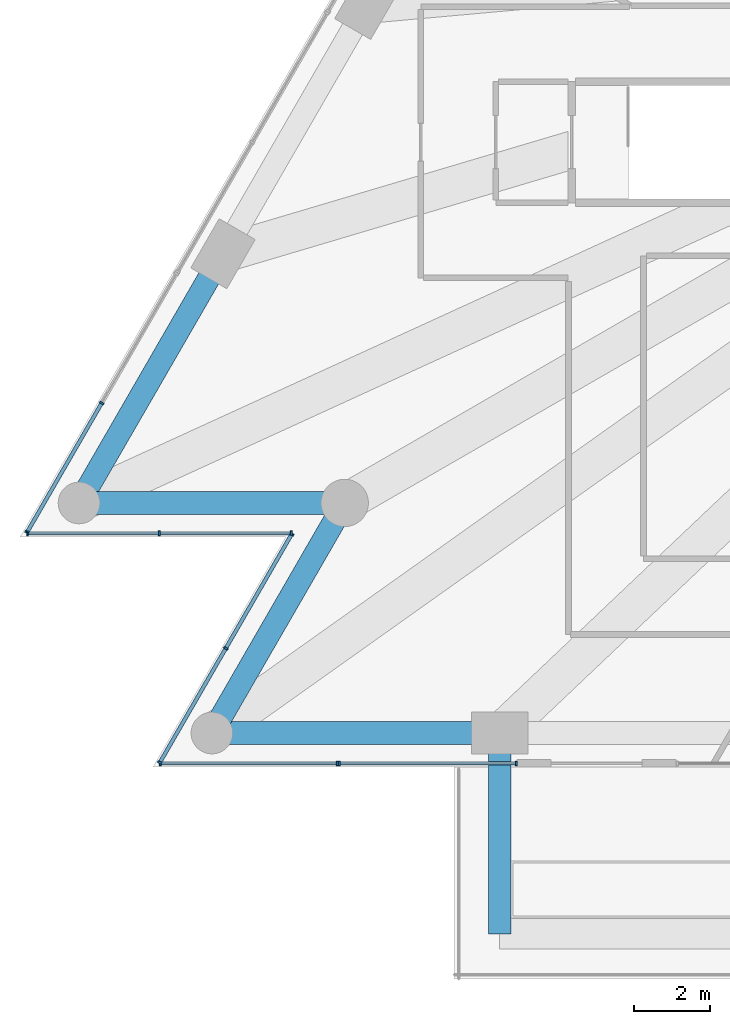
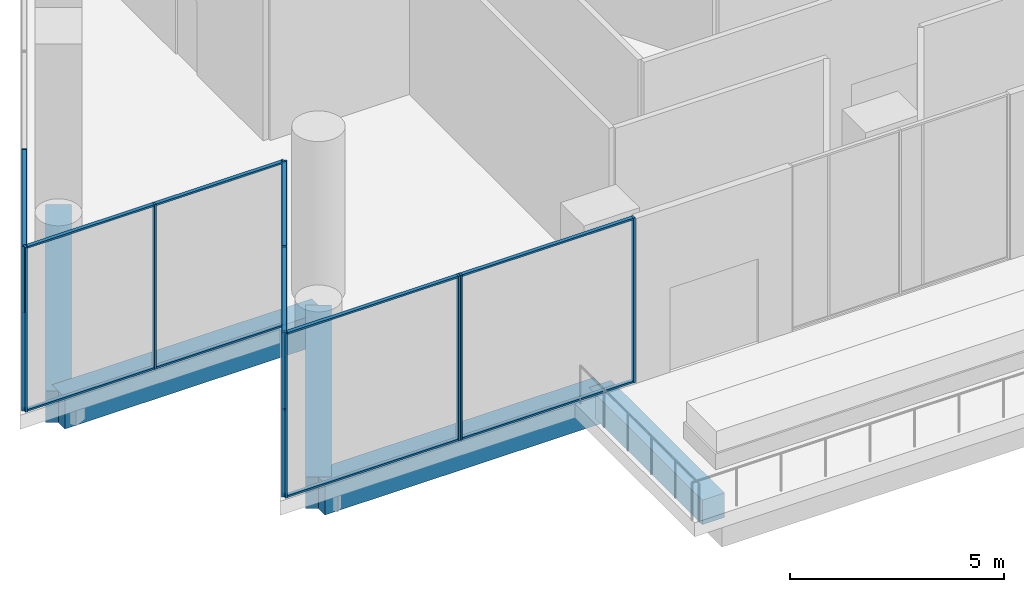
# One storey, part 2 of 28: 26 members, 5 beams, 5 elements without a shape of their own.
"""IFC4 building model written with IfcOpenShell, lengths in metres."""

from ifc_helpers import new_model, si_unit, direction, frame, origin, origin_2d, place, context, subcontext, project, spatial, rectangle, extrude, material, layer, layer_set, material_profile, profile_set, type_object, element, aggregate, save


model = new_model("IFC4")

# Units and contexts
model_context = context("Model", 3, precision=1e-05, world=origin(), true_north=direction((0.0, 1.0)))
body_context = subcontext(model_context, "Body", "Model", "MODEL_VIEW")
ifc_project = project(units=[si_unit("LENGTHUNIT", "METRE"), si_unit("AREAUNIT", "SQUARE_METRE"), si_unit("VOLUMEUNIT", "CUBIC_METRE"), si_unit("PLANEANGLEUNIT", "RADIAN"), si_unit("MASSUNIT", "GRAM", prefix="KILO")], contexts=[model_context])

# Site, building, storey
site_placement = place(None, origin())
site = spatial("IfcSite", under=ifc_project, at=site_placement, CompositionType="ELEMENT")
building_placement = place(site_placement, origin())
building = spatial("IfcBuilding", under=site, at=building_placement, Name="Triada Interchange Tower", CompositionType="ELEMENT")
storey_placement = place(building_placement, frame((0.0, 0.0, 30.300048828125)))
storey = spatial("IfcBuildingStorey", under=building, at=storey_placement, Name="L05", CompositionType="ELEMENT", Elevation=30.300048828125)

# Curtain wall, members
ifc_material_1 = material(Name="Aluminium framed glazing", Category="aluminium")
ifc_layer = layer(ifc_material_1, 0.199951171875)
ifc_layer_set = layer_set([ifc_layer], Name="Curtain wall Winter garden glazing")
curtain_wall_type = type_object("IfcCurtainWallType", Name="Curtain wall Winter garden glazing", PredefinedType="NOTDEFINED", material=ifc_layer_set)
curtain_wall_1_placement = place(storey_placement, origin())
curtain_wall_1 = element("IfcCurtainWall", 1, at=curtain_wall_1_placement, inside=storey, type_object=curtain_wall_type, Name="Winter garden glazing CW001 L05", PredefinedType="NOTDEFINED")
ifc_material_2 = material(Name="Aluminium", Category="aluminium")
ifc_material_profile_1 = material_profile(ifc_material_2, rectangle(XDim=0.1201171875, YDim=0.050048828125, at=origin_2d()), Name="Aluminium mullion")
ifc_profile_set_1 = profile_set([ifc_material_profile_1], Name="Aluminium")
member_type_1 = type_object("IfcMemberType", Name="Mullion Winter garden glazing 120x50", PredefinedType="MULLION", material=ifc_profile_set_1)
member_1_placement = place(storey_placement, frame((-31.758056640625, -22.39990234375, 0.0), z_axis=(0.0, 0.0, 1.0), x_axis=(0.0, 1.0, 0.0)))
member_1 = element("IfcMember", 2, at=member_1_placement, type_object=member_type_1, Name="CW001 mullion 1", PredefinedType="MULLION", context=body_context, shape_type="SweptSolid", body=[
    extrude(rectangle(XDim=0.1201171875, YDim=0.050048828125, at=origin_2d()), origin(), (0.0, 0.0, 1.0), 4.699951171875),
])
member_2_placement = place(storey_placement, frame((-27.090087890625, -22.39990234375, 0.0), z_axis=(0.0, 0.0, 1.0), x_axis=(0.0, 1.0, 0.0)))
member_2 = element("IfcMember", 3, at=member_2_placement, type_object=member_type_1, Name="CW001 mullion 2", PredefinedType="MULLION", context=body_context, shape_type="SweptSolid", body=[
    extrude(rectangle(XDim=0.1201171875, YDim=0.050048828125, at=origin_2d()), origin(), (0.0, 0.0, 1.0), 4.699951171875),
])

curtain_wall_2_placement = place(storey_placement, origin())
curtain_wall_2 = element("IfcCurtainWall", 4, at=curtain_wall_2_placement, inside=storey, type_object=curtain_wall_type, Name="Winter garden glazing CW002 L05", PredefinedType="NOTDEFINED")
member_3_placement = place(storey_placement, frame((-27.030029296875, -22.39990234375, 0.0), z_axis=(0.0, 0.0, 1.0), x_axis=(0.0, 1.0, 0.0)))
member_3 = element("IfcMember", 5, at=member_3_placement, type_object=member_type_1, Name="CW002 mullion 1", PredefinedType="MULLION", context=body_context, shape_type="SweptSolid", body=[
    extrude(rectangle(XDim=0.1201171875, YDim=0.050048828125, at=origin_2d()), origin(), (0.0, 0.0, 1.0), 4.699951171875),
])
member_4_placement = place(storey_placement, frame((-22.362060546875, -22.39990234375, 0.0), z_axis=(0.0, 0.0, 1.0), x_axis=(0.0, 1.0, 0.0)))
member_4 = element("IfcMember", 6, at=member_4_placement, type_object=member_type_1, Name="CW002 mullion 2", PredefinedType="MULLION", context=body_context, shape_type="SweptSolid", body=[
    extrude(rectangle(XDim=0.1201171875, YDim=0.050048828125, at=origin_2d()), origin(), (0.0, 0.0, 1.0), 4.699951171875),
])

curtain_wall_3_placement = place(storey_placement, origin())
curtain_wall_3 = element("IfcCurtainWall", 7, at=curtain_wall_3_placement, inside=storey, type_object=curtain_wall_type, Name="Winter garden glazing CW029 L05", PredefinedType="NOTDEFINED")
member_5_placement = place(storey_placement, frame((-33.305908203125, -12.886474609375, 0.0), z_axis=(0.0, 0.0, 1.0), x_axis=(0.86604927658, -0.499958648825, 0.0)))
member_5 = element("IfcMember", 8, at=member_5_placement, type_object=member_type_1, Name="CW029 mullion 2", PredefinedType="MULLION", context=body_context, shape_type="SweptSolid", body=[
    extrude(rectangle(XDim=0.1201171875, YDim=0.050048828125, at=origin_2d()), origin(), (0.0, 0.0, 1.0), 4.699951171875),
])
member_6_placement = place(storey_placement, frame((-35.278564453125, -16.303466796875, 0.0), z_axis=(0.0, 0.0, 1.0), x_axis=(0.86604927658, -0.499958648825, 0.0)))
member_6 = element("IfcMember", 9, at=member_6_placement, type_object=member_type_1, Name="CW029 mullion 3", PredefinedType="MULLION", context=body_context, shape_type="SweptSolid", body=[
    extrude(rectangle(XDim=0.1201171875, YDim=0.050048828125, at=origin_2d()), origin(), (0.0, 0.0, 1.0), 4.699951171875),
])

curtain_wall_4_placement = place(storey_placement, origin())
curtain_wall_4 = element("IfcCurtainWall", 10, at=curtain_wall_4_placement, inside=storey, type_object=curtain_wall_type, Name="Winter garden glazing CW030 L05", PredefinedType="NOTDEFINED")
member_7_placement = place(storey_placement, frame((-35.26611328125, -16.324951171875, 0.0), z_axis=(0.0, 0.0, 1.0), x_axis=(0.0, 1.0, 0.0)))
member_7 = element("IfcMember", 11, at=member_7_placement, type_object=member_type_1, Name="CW030 mullion 1", PredefinedType="MULLION", context=body_context, shape_type="SweptSolid", body=[
    extrude(rectangle(XDim=0.1201171875, YDim=0.050048828125, at=origin_2d()), origin(), (0.0, 0.0, 1.0), 4.699951171875),
])
member_8_placement = place(storey_placement, frame((-31.783447265625, -16.324951171875, 0.0), z_axis=(0.0, 0.0, 1.0), x_axis=(0.0, 1.0, 0.0)))
member_8 = element("IfcMember", 12, at=member_8_placement, type_object=member_type_1, Name="CW030 mullion 2", PredefinedType="MULLION", context=body_context, shape_type="SweptSolid", body=[
    extrude(rectangle(XDim=0.1201171875, YDim=0.050048828125, at=origin_2d()), origin(), (0.0, 0.0, 1.0), 4.699951171875),
])
member_9_placement = place(storey_placement, frame((-28.301025390625, -16.324951171875, 0.0), z_axis=(0.0, 0.0, 1.0), x_axis=(0.0, 1.0, 0.0)))
member_9 = element("IfcMember", 13, at=member_9_placement, type_object=member_type_1, Name="CW030 mullion 3", PredefinedType="MULLION", context=body_context, shape_type="SweptSolid", body=[
    extrude(rectangle(XDim=0.1201171875, YDim=0.050048828125, at=origin_2d()), origin(), (0.0, 0.0, 1.0), 4.699951171875),
])

curtain_wall_5_placement = place(storey_placement, origin())
curtain_wall_5 = element("IfcCurtainWall", 14, at=curtain_wall_5_placement, inside=storey, type_object=curtain_wall_type, Name="Winter garden glazing CW031 L05", PredefinedType="NOTDEFINED")
member_10_placement = place(storey_placement, frame((-28.28857421875, -16.3466796875, 0.0), z_axis=(0.0, 0.0, 1.0), x_axis=(0.866050272896, -0.499956922962, 0.0)))
member_10 = element("IfcMember", 15, at=member_10_placement, type_object=member_type_1, Name="CW031 mullion 1", PredefinedType="MULLION", context=body_context, shape_type="SweptSolid", body=[
    extrude(rectangle(XDim=0.1201171875, YDim=0.050048828125, at=origin_2d()), origin(), (0.0, 0.0, 1.0), 4.699951171875),
])
member_11_placement = place(storey_placement, frame((-30.029541015625, -19.362548828125, 0.0), z_axis=(0.0, 0.0, 1.0), x_axis=(0.866050272896, -0.499956922962, 0.0)))
member_11 = element("IfcMember", 16, at=member_11_placement, type_object=member_type_1, Name="CW031 mullion 2", PredefinedType="MULLION", context=body_context, shape_type="SweptSolid", body=[
    extrude(rectangle(XDim=0.1201171875, YDim=0.050048828125, at=origin_2d()), origin(), (0.0, 0.0, 1.0), 4.699951171875),
])
member_12_placement = place(storey_placement, frame((-31.7705078125, -22.37841796875, 0.0), z_axis=(0.0, 0.0, 1.0), x_axis=(0.866050272896, -0.499956922962, 0.0)))
member_12 = element("IfcMember", 17, at=member_12_placement, type_object=member_type_1, Name="CW031 mullion 3", PredefinedType="MULLION", context=body_context, shape_type="SweptSolid", body=[
    extrude(rectangle(XDim=0.1201171875, YDim=0.050048828125, at=origin_2d()), origin(), (0.0, 0.0, 1.0), 4.699951171875),
])

# Beams
ifc_material_3 = material(Name="Concrete C50/60", Category="concrete")
ifc_material_profile_2 = material_profile(ifc_material_3, rectangle(XDim=0.60009765625, YDim=0.89990234375, at=origin_2d()), Name="RC 600x900")
ifc_profile_set_2 = profile_set([ifc_material_profile_2], Name="Concrete C50/60")
beam_type_1 = type_object("IfcBeamType", Name="Spandrel beam P RC 600x900", PredefinedType="BEAM", material=ifc_profile_set_2)
beam_1_placement = place(storey_placement, frame((-30.10498046875, -8.944091796875, -0.85009765625), z_axis=(-0.500060803479, -0.865990296034, 0.0), x_axis=(0.865990296034, -0.500060803479, 0.0)))
element("IfcBeam", 18, at=beam_1_placement, inside=storey, type_object=beam_type_1, Name="Spandrel beam EP08 L05", PredefinedType="BEAM", context=body_context, shape_type="SweptSolid", body=[
    extrude(rectangle(XDim=0.60009765625, YDim=0.89990234375, at=origin_2d()), origin(), (0.0, 0.0, 1.0), 7.59912109375),
])
beam_2_placement = place(storey_placement, frame((-33.905029296875, -15.52490234375, -0.85009765625), z_axis=(1.0, 0.0, 0.0), x_axis=(0.0, 1.0, 0.0)))
element("IfcBeam", 19, at=beam_2_placement, inside=storey, type_object=beam_type_1, Name="Spandrel beam EP09 L05", PredefinedType="BEAM", context=body_context, shape_type="SweptSolid", body=[
    extrude(rectangle(XDim=0.60009765625, YDim=0.89990234375, at=origin_2d()), origin(), (0.0, 0.0, 1.0), 7.01513671875),
])
beam_3_placement = place(storey_placement, frame((-26.889892578125, -15.52490234375, -0.85009765625), z_axis=(-0.499953429515, -0.866052289597, 0.0), x_axis=(0.866052289597, -0.499953429515, 0.0)))
element("IfcBeam", 20, at=beam_3_placement, inside=storey, type_object=beam_type_1, Name="Spandrel beam EP10 L05", PredefinedType="BEAM", context=body_context, shape_type="SweptSolid", body=[
    extrude(rectangle(XDim=0.60009765625, YDim=0.89990234375, at=origin_2d()), origin(), (0.0, 0.0, 1.0), 7.014892578125),
])
beam_4_placement = place(storey_placement, frame((-30.39697265625, -21.60009765625, -0.85009765625), z_axis=(1.0, 0.0, 0.0), x_axis=(0.0, 1.0, 0.0)))
element("IfcBeam", 21, at=beam_4_placement, inside=storey, type_object=beam_type_1, Name="Spandrel beam EP11 L05", PredefinedType="BEAM", context=body_context, shape_type="SweptSolid", body=[
    extrude(rectangle(XDim=0.60009765625, YDim=0.89990234375, at=origin_2d()), origin(), (0.0, 0.0, 1.0), 7.598876953125),
])
ifc_material_4 = material(Name="Concrete C40/50", Category="concrete")
ifc_material_profile_3 = material_profile(ifc_material_4, rectangle(XDim=0.60009765625, YDim=0.699951171875, at=origin_2d()), Name="RC 600x700")
ifc_profile_set_3 = profile_set([ifc_material_profile_3], Name="Concrete C40/50")
beam_type_2 = type_object("IfcBeamType", Name="Terrace beam RC 600x700", PredefinedType="BEAM", material=ifc_profile_set_3)
beam_5_placement = place(storey_placement, frame((-22.800048828125, -26.89990234375, -0.75), z_axis=(0.0, 1.0, 0.0), x_axis=(-1.0, 0.0, 0.0)))
element("IfcBeam", 22, at=beam_5_placement, inside=storey, type_object=beam_type_2, Name="Terrace beam TE01 L05", PredefinedType="BEAM", context=body_context, shape_type="SweptSolid", body=[
    extrude(rectangle(XDim=0.60009765625, YDim=0.699951171875, at=origin_2d()), origin(), (0.0, 0.0, 1.0), 5.2998046875),
])

# Member
ifc_material_profile_4 = material_profile(ifc_material_2, rectangle(XDim=0.10009765625, YDim=0.050048828125, at=origin_2d()), Name="Aluminium transom")
ifc_profile_set_4 = profile_set([ifc_material_profile_4], Name="Aluminium")
member_type_2 = type_object("IfcMemberType", Name="Transom Winter garden glazing 100x50", PredefinedType="USERDEFINED", material=ifc_profile_set_4)
member_13_placement = place(storey_placement, frame((-31.73291015625, -22.39990234375, 0.02490234375), z_axis=(1.0, 0.0, 0.0), x_axis=(0.0, 1.0, 0.0)))
member_13 = element("IfcMember", 23, at=member_13_placement, type_object=member_type_2, Name="CW001 transom 1.1", ObjectType="TRANSOM", PredefinedType="USERDEFINED", context=body_context, shape_type="SweptSolid", body=[
    extrude(rectangle(XDim=0.10009765625, YDim=0.050048828125, at=origin_2d()), origin(), (0.0, 0.0, 1.0), 4.617919921875),
])

member_14_placement = place(storey_placement, frame((-31.73291015625, -22.39990234375, 4.675048828125), z_axis=(1.0, 0.0, 0.0), x_axis=(0.0, 1.0, 0.0)))
member_14 = element("IfcMember", 24, at=member_14_placement, type_object=member_type_2, Name="CW001 transom 1.2", ObjectType="TRANSOM", PredefinedType="USERDEFINED", context=body_context, shape_type="SweptSolid", body=[
    extrude(rectangle(XDim=0.10009765625, YDim=0.050048828125, at=origin_2d()), origin(), (0.0, 0.0, 1.0), 4.617919921875),
])

aggregate(curtain_wall_1, [member_1, member_2, member_13, member_14])

member_15_placement = place(storey_placement, frame((-27.0048828125, -22.39990234375, 0.02490234375), z_axis=(1.0, 0.0, 0.0), x_axis=(0.0, 1.0, 0.0)))
member_15 = element("IfcMember", 25, at=member_15_placement, type_object=member_type_2, Name="CW002 transom 1.1", ObjectType="TRANSOM", PredefinedType="USERDEFINED", context=body_context, shape_type="SweptSolid", body=[
    extrude(rectangle(XDim=0.10009765625, YDim=0.050048828125, at=origin_2d()), origin(), (0.0, 0.0, 1.0), 4.617919921875),
])

member_16_placement = place(storey_placement, frame((-27.0048828125, -22.39990234375, 4.675048828125), z_axis=(1.0, 0.0, 0.0), x_axis=(0.0, 1.0, 0.0)))
member_16 = element("IfcMember", 26, at=member_16_placement, type_object=member_type_2, Name="CW002 transom 1.2", ObjectType="TRANSOM", PredefinedType="USERDEFINED", context=body_context, shape_type="SweptSolid", body=[
    extrude(rectangle(XDim=0.10009765625, YDim=0.050048828125, at=origin_2d()), origin(), (0.0, 0.0, 1.0), 4.617919921875),
])

aggregate(curtain_wall_2, [member_3, member_4, member_15, member_16])

member_17_placement = place(storey_placement, frame((-33.318603515625, -12.908203125, 0.02490234375), z_axis=(-0.499961171201, -0.866047820441, 0.0), x_axis=(0.866047820441, -0.499961171201, 0.0)))
member_17 = element("IfcMember", 27, at=member_17_placement, type_object=member_type_2, Name="CW029 transom 2.1", ObjectType="TRANSOM", PredefinedType="USERDEFINED", context=body_context, shape_type="SweptSolid", body=[
    extrude(rectangle(XDim=0.10009765625, YDim=0.050048828125, at=origin_2d()), origin(), (0.0, 0.0, 1.0), 3.895263671875),
])

member_18_placement = place(storey_placement, frame((-33.318603515625, -12.908203125, 4.675048828125), z_axis=(-0.499961171201, -0.866047820441, 0.0), x_axis=(0.866047820441, -0.499961171201, 0.0)))
member_18 = element("IfcMember", 28, at=member_18_placement, type_object=member_type_2, Name="CW029 transom 2.2", ObjectType="TRANSOM", PredefinedType="USERDEFINED", context=body_context, shape_type="SweptSolid", body=[
    extrude(rectangle(XDim=0.10009765625, YDim=0.050048828125, at=origin_2d()), origin(), (0.0, 0.0, 1.0), 3.895263671875),
])

aggregate(curtain_wall_3, [member_5, member_6, member_17, member_18])

member_19_placement = place(storey_placement, frame((-35.240966796875, -16.324951171875, 0.02490234375), z_axis=(1.0, 0.0, 0.0), x_axis=(0.0, 1.0, 0.0)))
member_19 = element("IfcMember", 29, at=member_19_placement, type_object=member_type_2, Name="CW030 transom 1.1", ObjectType="TRANSOM", PredefinedType="USERDEFINED", context=body_context, shape_type="SweptSolid", body=[
    extrude(rectangle(XDim=0.10009765625, YDim=0.050048828125, at=origin_2d()), origin(), (0.0, 0.0, 1.0), 3.432373046875),
])

member_20_placement = place(storey_placement, frame((-35.240966796875, -16.324951171875, 4.675048828125), z_axis=(1.0, 0.0, 0.0), x_axis=(0.0, 1.0, 0.0)))
member_20 = element("IfcMember", 30, at=member_20_placement, type_object=member_type_2, Name="CW030 transom 1.2", ObjectType="TRANSOM", PredefinedType="USERDEFINED", context=body_context, shape_type="SweptSolid", body=[
    extrude(rectangle(XDim=0.10009765625, YDim=0.050048828125, at=origin_2d()), origin(), (0.0, 0.0, 1.0), 3.432373046875),
])

member_21_placement = place(storey_placement, frame((-31.758544921875, -16.324951171875, 0.02490234375), z_axis=(1.0, 0.0, 0.0), x_axis=(0.0, 1.0, 0.0)))
member_21 = element("IfcMember", 31, at=member_21_placement, type_object=member_type_2, Name="CW030 transom 2.1", ObjectType="TRANSOM", PredefinedType="USERDEFINED", context=body_context, shape_type="SweptSolid", body=[
    extrude(rectangle(XDim=0.10009765625, YDim=0.050048828125, at=origin_2d()), origin(), (0.0, 0.0, 1.0), 3.4326171875),
])

member_22_placement = place(storey_placement, frame((-31.758544921875, -16.324951171875, 4.675048828125), z_axis=(1.0, 0.0, 0.0), x_axis=(0.0, 1.0, 0.0)))
member_22 = element("IfcMember", 32, at=member_22_placement, type_object=member_type_2, Name="CW030 transom 2.2", ObjectType="TRANSOM", PredefinedType="USERDEFINED", context=body_context, shape_type="SweptSolid", body=[
    extrude(rectangle(XDim=0.10009765625, YDim=0.050048828125, at=origin_2d()), origin(), (0.0, 0.0, 1.0), 3.4326171875),
])

aggregate(curtain_wall_4, [member_7, member_8, member_9, member_19, member_20, member_21, member_22])

member_23_placement = place(storey_placement, frame((-28.301025390625, -16.368408203125, 0.02490234375), z_axis=(-0.499987221389, -0.866032781393, 0.0), x_axis=(0.866032781393, -0.499987221389, 0.0)))
member_23 = element("IfcMember", 33, at=member_23_placement, type_object=member_type_2, Name="CW031 transom 1.1", ObjectType="TRANSOM", PredefinedType="USERDEFINED", context=body_context, shape_type="SweptSolid", body=[
    extrude(rectangle(XDim=0.10009765625, YDim=0.050048828125, at=origin_2d()), origin(), (0.0, 0.0, 1.0), 3.43212890625),
])

member_24_placement = place(storey_placement, frame((-28.301025390625, -16.368408203125, 4.675048828125), z_axis=(-0.499987221389, -0.866032781393, 0.0), x_axis=(0.866032781393, -0.499987221389, 0.0)))
member_24 = element("IfcMember", 34, at=member_24_placement, type_object=member_type_2, Name="CW031 transom 1.2", ObjectType="TRANSOM", PredefinedType="USERDEFINED", context=body_context, shape_type="SweptSolid", body=[
    extrude(rectangle(XDim=0.10009765625, YDim=0.050048828125, at=origin_2d()), origin(), (0.0, 0.0, 1.0), 3.43212890625),
])

member_25_placement = place(storey_placement, frame((-30.0419921875, -19.384033203125, 0.02490234375), z_axis=(-0.499956422411, -0.866050561855, 0.0), x_axis=(0.866050561855, -0.499956422411, 0.0)))
member_25 = element("IfcMember", 35, at=member_25_placement, type_object=member_type_2, Name="CW031 transom 2.1", ObjectType="TRANSOM", PredefinedType="USERDEFINED", context=body_context, shape_type="SweptSolid", body=[
    extrude(rectangle(XDim=0.10009765625, YDim=0.050048828125, at=origin_2d()), origin(), (0.0, 0.0, 1.0), 3.432373046875),
])

member_26_placement = place(storey_placement, frame((-30.0419921875, -19.384033203125, 4.675048828125), z_axis=(-0.499956422411, -0.866050561855, 0.0), x_axis=(0.866050561855, -0.499956422411, 0.0)))
member_26 = element("IfcMember", 36, at=member_26_placement, type_object=member_type_2, Name="CW031 transom 2.2", ObjectType="TRANSOM", PredefinedType="USERDEFINED", context=body_context, shape_type="SweptSolid", body=[
    extrude(rectangle(XDim=0.10009765625, YDim=0.050048828125, at=origin_2d()), origin(), (0.0, 0.0, 1.0), 3.432373046875),
])

aggregate(curtain_wall_5, [member_10, member_11, member_12, member_23, member_24, member_25, member_26])

save(model, "model.ifc")
